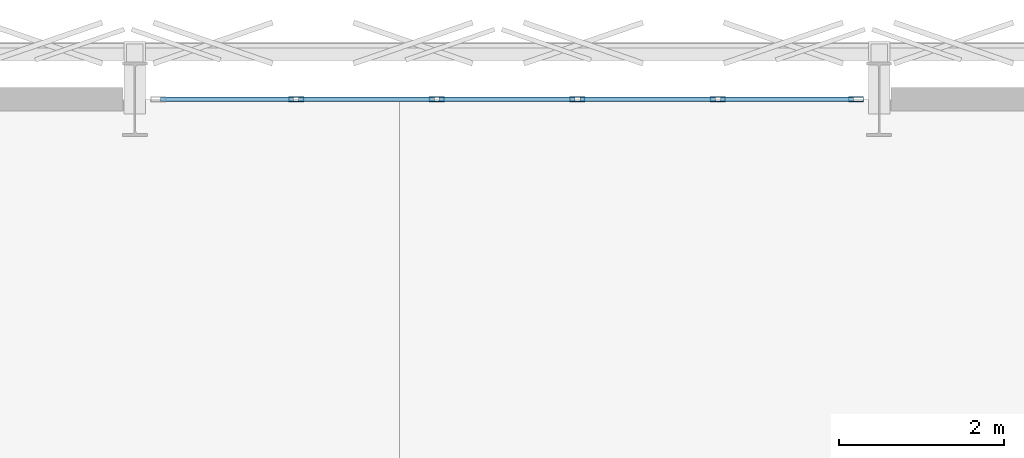
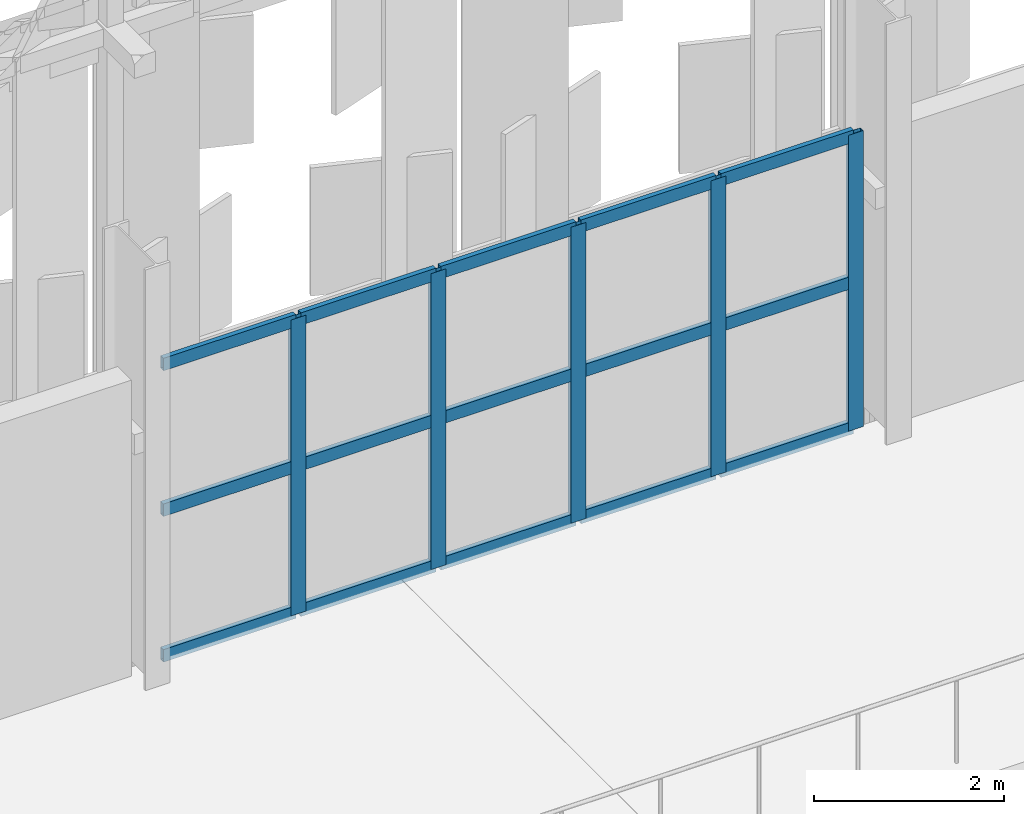
# One storey, part 85 of 210: 20 members, 1 element without a shape of its own.
"""IFC4 building model written with IfcOpenShell, lengths in metres."""

from ifc_helpers import new_model, si_unit, direction, frame, origin, origin_2d, place, context, subcontext, project, spatial, hollow_rectangle, extrude, material, material_profile, profile_set, type_object, element, aggregate, save


model = new_model("IFC4")

# Units and contexts
model_context = context("Model", 3, precision=1e-05, world=origin(), true_north=direction((0.0, 1.0)))
body_context = subcontext(model_context, "Body", "Model", "MODEL_VIEW")
ifc_project = project(units=[si_unit("LENGTHUNIT", "METRE"), si_unit("AREAUNIT", "SQUARE_METRE"), si_unit("VOLUMEUNIT", "CUBIC_METRE"), si_unit("PLANEANGLEUNIT", "RADIAN"), si_unit("MASSUNIT", "GRAM", prefix="KILO")], contexts=[model_context])

# Site, building, storey
site_placement = place(None, origin())
site = spatial("IfcSite", under=ifc_project, at=site_placement, CompositionType="ELEMENT")
building_placement = place(site_placement, origin())
building = spatial("IfcBuilding", under=site, at=building_placement, Name="Kaldris Quays Convention Centre", CompositionType="ELEMENT")
storey_placement = place(building_placement, frame((0.0, 0.0, 6.0)))
storey = spatial("IfcBuildingStorey", under=building, at=storey_placement, Name="L01", CompositionType="ELEMENT", Elevation=6.0)

# Curtain wall, members
ifc_material_1 = material(Name="Anodized aluminium AW-6060 and triple glazing", Category="aluminium")
curtain_wall_type = type_object("IfcCurtainWallType", Name="UNITISED CURTAIN WALL CW05", PredefinedType="NOTDEFINED", material=ifc_material_1)
curtain_wall_placement = place(storey_placement, origin())
curtain_wall = element("IfcCurtainWall", 1, at=curtain_wall_placement, inside=storey, type_object=curtain_wall_type, Name="L01 Unitised Curtain Wall CW05 10", PredefinedType="NOTDEFINED")
ifc_material_2 = material(Name="Anodized aluminium AW-6060", Category="aluminium")
ifc_material_profile_1 = material_profile(ifc_material_2, hollow_rectangle(XDim=0.06005859375, YDim=0.179931640625, WallThickness=0.0048828125, at=origin_2d()), Name="RHS 180x60x5")
ifc_profile_set_1 = profile_set([ifc_material_profile_1], Name="Anodized aluminium AW-6060")
member_type_1 = type_object("IfcMemberType", Name="CURTAIN MULLION CWM2", PredefinedType="MULLION", material=ifc_profile_set_1)
member_1_placement = place(storey_placement, frame((102.949951171875, 140.0, 0.0), z_axis=(0.0, 0.0, 1.0), x_axis=(0.0, 1.0, 0.0)))
member_1 = element("IfcMember", 2, at=member_1_placement, type_object=member_type_1, Name="CW05 mullion 2", PredefinedType="MULLION", context=body_context, shape_type="SweptSolid", body=[
    extrude(hollow_rectangle(XDim=0.06005859375, YDim=0.179931640625, WallThickness=0.0048828125, at=origin_2d()), origin(), (0.0, 0.0, 1.0), 3.800048828125),
])
member_2_placement = place(storey_placement, frame((104.64990234375, 140.0, 0.0), z_axis=(0.0, 0.0, 1.0), x_axis=(0.0, 1.0, 0.0)))
member_2 = element("IfcMember", 3, at=member_2_placement, type_object=member_type_1, Name="CW05 mullion 3", PredefinedType="MULLION", context=body_context, shape_type="SweptSolid", body=[
    extrude(hollow_rectangle(XDim=0.06005859375, YDim=0.179931640625, WallThickness=0.0048828125, at=origin_2d()), origin(), (0.0, 0.0, 1.0), 3.800048828125),
])
member_3_placement = place(storey_placement, frame((106.35009765625, 140.0, 0.0), z_axis=(0.0, 0.0, 1.0), x_axis=(0.0, 1.0, 0.0)))
member_3 = element("IfcMember", 4, at=member_3_placement, type_object=member_type_1, Name="CW05 mullion 4", PredefinedType="MULLION", context=body_context, shape_type="SweptSolid", body=[
    extrude(hollow_rectangle(XDim=0.06005859375, YDim=0.179931640625, WallThickness=0.0048828125, at=origin_2d()), origin(), (0.0, 0.0, 1.0), 3.800048828125),
])
member_4_placement = place(storey_placement, frame((108.050048828125, 140.0, 0.0), z_axis=(0.0, 0.0, 1.0), x_axis=(0.0, 1.0, 0.0)))
member_4 = element("IfcMember", 5, at=member_4_placement, type_object=member_type_1, Name="CW05 mullion 5", PredefinedType="MULLION", context=body_context, shape_type="SweptSolid", body=[
    extrude(hollow_rectangle(XDim=0.06005859375, YDim=0.179931640625, WallThickness=0.0048828125, at=origin_2d()), origin(), (0.0, 0.0, 1.0), 3.800048828125),
])
member_5_placement = place(storey_placement, frame((109.719970703125, 140.0, 0.0), z_axis=(0.0, 0.0, 1.0), x_axis=(0.0, 1.0, 0.0)))
member_5 = element("IfcMember", 6, at=member_5_placement, type_object=member_type_1, Name="CW05 mullion 6", PredefinedType="MULLION", context=body_context, shape_type="SweptSolid", body=[
    extrude(hollow_rectangle(XDim=0.06005859375, YDim=0.179931640625, WallThickness=0.0048828125, at=origin_2d()), origin(), (0.0, 0.0, 1.0), 3.800048828125),
])
ifc_material_profile_2 = material_profile(ifc_material_2, hollow_rectangle(XDim=0.06005859375, YDim=0.159912109375, WallThickness=0.00390625, at=origin_2d()), Name="RHS 160x60x4")
ifc_profile_set_2 = profile_set([ifc_material_profile_2], Name="Anodized aluminium AW-6060")
member_type_2 = type_object("IfcMemberType", Name="CURTAIN TRANSOM CWT2", PredefinedType="USERDEFINED", material=ifc_profile_set_2)
member_6_placement = place(storey_placement, frame((101.31005859375, 140.0, 0.030029296875), z_axis=(1.0, 0.0, 0.0), x_axis=(0.0, 1.0, 0.0)))
member_6 = element("IfcMember", 7, at=member_6_placement, type_object=member_type_2, Name="CW05 transom 1.1", ObjectType="TRANSOM", PredefinedType="USERDEFINED", context=body_context, shape_type="SweptSolid", body=[
    extrude(hollow_rectangle(XDim=0.06005859375, YDim=0.159912109375, WallThickness=0.00390625, at=origin_2d()), origin(), (0.0, 0.0, 1.0), 1.60986328125),
])
member_7_placement = place(storey_placement, frame((101.31005859375, 140.0, 1.89990234375), z_axis=(1.0, 0.0, 0.0), x_axis=(0.0, 1.0, 0.0)))
member_7 = element("IfcMember", 8, at=member_7_placement, type_object=member_type_2, Name="CW05 transom 1.2", ObjectType="TRANSOM", PredefinedType="USERDEFINED", context=body_context, shape_type="SweptSolid", body=[
    extrude(hollow_rectangle(XDim=0.06005859375, YDim=0.159912109375, WallThickness=0.00390625, at=origin_2d()), origin(), (0.0, 0.0, 1.0), 1.60986328125),
])
member_8_placement = place(storey_placement, frame((101.31005859375, 140.0, 3.77001953125), z_axis=(1.0, 0.0, 0.0), x_axis=(0.0, 1.0, 0.0)))
member_8 = element("IfcMember", 9, at=member_8_placement, type_object=member_type_2, Name="CW05 transom 1.3", ObjectType="TRANSOM", PredefinedType="USERDEFINED", context=body_context, shape_type="SweptSolid", body=[
    extrude(hollow_rectangle(XDim=0.06005859375, YDim=0.159912109375, WallThickness=0.00390625, at=origin_2d()), origin(), (0.0, 0.0, 1.0), 1.60986328125),
])
member_9_placement = place(storey_placement, frame((102.97998046875, 140.0, 0.030029296875), z_axis=(1.0, 0.0, 0.0), x_axis=(0.0, 1.0, 0.0)))
member_9 = element("IfcMember", 10, at=member_9_placement, type_object=member_type_2, Name="CW05 transom 2.1", ObjectType="TRANSOM", PredefinedType="USERDEFINED", context=body_context, shape_type="SweptSolid", body=[
    extrude(hollow_rectangle(XDim=0.06005859375, YDim=0.159912109375, WallThickness=0.00390625, at=origin_2d()), origin(), (0.0, 0.0, 1.0), 1.64013671875),
])
member_10_placement = place(storey_placement, frame((102.97998046875, 140.0, 1.89990234375), z_axis=(1.0, 0.0, 0.0), x_axis=(0.0, 1.0, 0.0)))
member_10 = element("IfcMember", 11, at=member_10_placement, type_object=member_type_2, Name="CW05 transom 2.2", ObjectType="TRANSOM", PredefinedType="USERDEFINED", context=body_context, shape_type="SweptSolid", body=[
    extrude(hollow_rectangle(XDim=0.06005859375, YDim=0.159912109375, WallThickness=0.00390625, at=origin_2d()), origin(), (0.0, 0.0, 1.0), 1.64013671875),
])
member_11_placement = place(storey_placement, frame((102.97998046875, 140.0, 3.77001953125), z_axis=(1.0, 0.0, 0.0), x_axis=(0.0, 1.0, 0.0)))
member_11 = element("IfcMember", 12, at=member_11_placement, type_object=member_type_2, Name="CW05 transom 2.3", ObjectType="TRANSOM", PredefinedType="USERDEFINED", context=body_context, shape_type="SweptSolid", body=[
    extrude(hollow_rectangle(XDim=0.06005859375, YDim=0.159912109375, WallThickness=0.00390625, at=origin_2d()), origin(), (0.0, 0.0, 1.0), 1.64013671875),
])
member_12_placement = place(storey_placement, frame((104.679931640625, 140.0, 0.030029296875), z_axis=(1.0, 0.0, 0.0), x_axis=(0.0, 1.0, 0.0)))
member_12 = element("IfcMember", 13, at=member_12_placement, type_object=member_type_2, Name="CW05 transom 3.1", ObjectType="TRANSOM", PredefinedType="USERDEFINED", context=body_context, shape_type="SweptSolid", body=[
    extrude(hollow_rectangle(XDim=0.06005859375, YDim=0.159912109375, WallThickness=0.00390625, at=origin_2d()), origin(), (0.0, 0.0, 1.0), 1.64013671875),
])
member_13_placement = place(storey_placement, frame((104.679931640625, 140.0, 1.89990234375), z_axis=(1.0, 0.0, 0.0), x_axis=(0.0, 1.0, 0.0)))
member_13 = element("IfcMember", 14, at=member_13_placement, type_object=member_type_2, Name="CW05 transom 3.2", ObjectType="TRANSOM", PredefinedType="USERDEFINED", context=body_context, shape_type="SweptSolid", body=[
    extrude(hollow_rectangle(XDim=0.06005859375, YDim=0.159912109375, WallThickness=0.00390625, at=origin_2d()), origin(), (0.0, 0.0, 1.0), 1.64013671875),
])
member_14_placement = place(storey_placement, frame((104.679931640625, 140.0, 3.77001953125), z_axis=(1.0, 0.0, 0.0), x_axis=(0.0, 1.0, 0.0)))
member_14 = element("IfcMember", 15, at=member_14_placement, type_object=member_type_2, Name="CW05 transom 3.3", ObjectType="TRANSOM", PredefinedType="USERDEFINED", context=body_context, shape_type="SweptSolid", body=[
    extrude(hollow_rectangle(XDim=0.06005859375, YDim=0.159912109375, WallThickness=0.00390625, at=origin_2d()), origin(), (0.0, 0.0, 1.0), 1.64013671875),
])
member_15_placement = place(storey_placement, frame((106.3798828125, 140.0, 0.030029296875), z_axis=(1.0, 0.0, 0.0), x_axis=(0.0, 1.0, 0.0)))
member_15 = element("IfcMember", 16, at=member_15_placement, type_object=member_type_2, Name="CW05 transom 4.1", ObjectType="TRANSOM", PredefinedType="USERDEFINED", context=body_context, shape_type="SweptSolid", body=[
    extrude(hollow_rectangle(XDim=0.06005859375, YDim=0.159912109375, WallThickness=0.00390625, at=origin_2d()), origin(), (0.0, 0.0, 1.0), 1.64013671875),
])
member_16_placement = place(storey_placement, frame((106.3798828125, 140.0, 1.89990234375), z_axis=(1.0, 0.0, 0.0), x_axis=(0.0, 1.0, 0.0)))
member_16 = element("IfcMember", 17, at=member_16_placement, type_object=member_type_2, Name="CW05 transom 4.2", ObjectType="TRANSOM", PredefinedType="USERDEFINED", context=body_context, shape_type="SweptSolid", body=[
    extrude(hollow_rectangle(XDim=0.06005859375, YDim=0.159912109375, WallThickness=0.00390625, at=origin_2d()), origin(), (0.0, 0.0, 1.0), 1.64013671875),
])
member_17_placement = place(storey_placement, frame((106.3798828125, 140.0, 3.77001953125), z_axis=(1.0, 0.0, 0.0), x_axis=(0.0, 1.0, 0.0)))
member_17 = element("IfcMember", 18, at=member_17_placement, type_object=member_type_2, Name="CW05 transom 4.3", ObjectType="TRANSOM", PredefinedType="USERDEFINED", context=body_context, shape_type="SweptSolid", body=[
    extrude(hollow_rectangle(XDim=0.06005859375, YDim=0.159912109375, WallThickness=0.00390625, at=origin_2d()), origin(), (0.0, 0.0, 1.0), 1.64013671875),
])
member_18_placement = place(storey_placement, frame((108.080078125, 140.0, 0.030029296875), z_axis=(1.0, 0.0, 0.0), x_axis=(0.0, 1.0, 0.0)))
member_18 = element("IfcMember", 19, at=member_18_placement, type_object=member_type_2, Name="CW05 transom 5.1", ObjectType="TRANSOM", PredefinedType="USERDEFINED", context=body_context, shape_type="SweptSolid", body=[
    extrude(hollow_rectangle(XDim=0.06005859375, YDim=0.159912109375, WallThickness=0.00390625, at=origin_2d()), origin(), (0.0, 0.0, 1.0), 1.60986328125),
])
member_19_placement = place(storey_placement, frame((108.080078125, 140.0, 1.89990234375), z_axis=(1.0, 0.0, 0.0), x_axis=(0.0, 1.0, 0.0)))
member_19 = element("IfcMember", 20, at=member_19_placement, type_object=member_type_2, Name="CW05 transom 5.2", ObjectType="TRANSOM", PredefinedType="USERDEFINED", context=body_context, shape_type="SweptSolid", body=[
    extrude(hollow_rectangle(XDim=0.06005859375, YDim=0.159912109375, WallThickness=0.00390625, at=origin_2d()), origin(), (0.0, 0.0, 1.0), 1.60986328125),
])
member_20_placement = place(storey_placement, frame((108.080078125, 140.0, 3.77001953125), z_axis=(1.0, 0.0, 0.0), x_axis=(0.0, 1.0, 0.0)))
member_20 = element("IfcMember", 21, at=member_20_placement, type_object=member_type_2, Name="CW05 transom 5.3", ObjectType="TRANSOM", PredefinedType="USERDEFINED", context=body_context, shape_type="SweptSolid", body=[
    extrude(hollow_rectangle(XDim=0.06005859375, YDim=0.159912109375, WallThickness=0.00390625, at=origin_2d()), origin(), (0.0, 0.0, 1.0), 1.60986328125),
])
aggregate(curtain_wall, [member_1, member_2, member_3, member_4, member_5, member_6, member_7, member_8, member_9, member_10, member_11, member_12, member_13, member_14, member_15, member_16, member_17, member_18, member_19, member_20])

save(model, "model.ifc")
